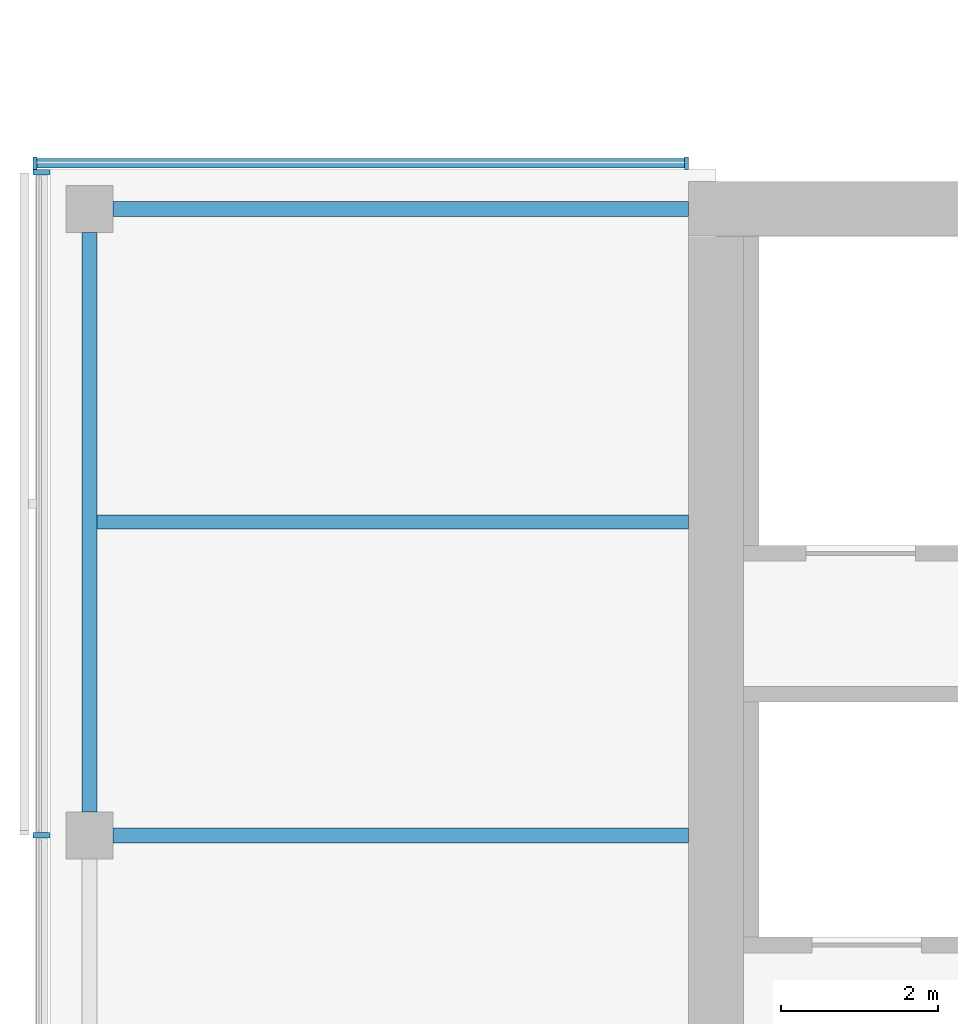
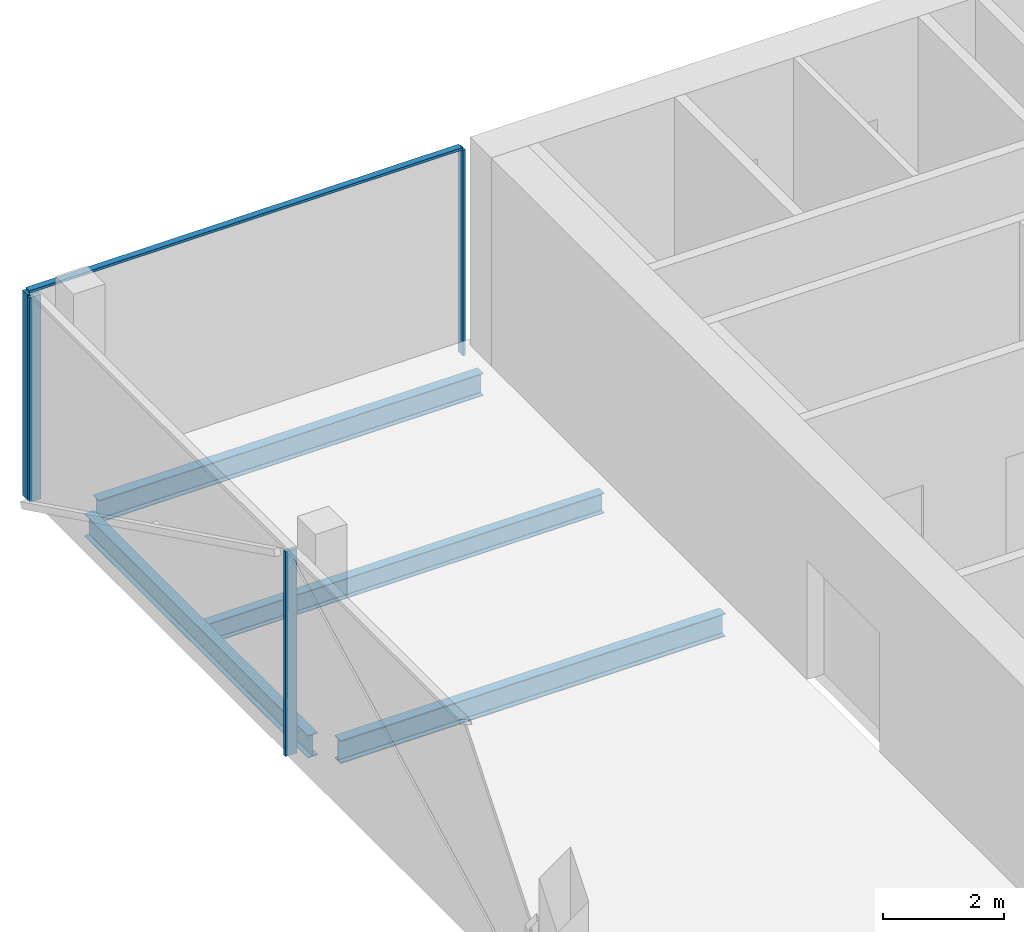
# One storey, part 7 of 22: 5 members, 4 beams, 2 elements without a shape of their own.
"""IFC4 building model written with IfcOpenShell, lengths in metres."""

import ifcopenshell
import ifcopenshell.guid

model = None  # the IFC model being written
_history = None  # IfcOwnerHistory: only IFC2X3 demands one
_inside = {}  # id of a spatial element -> (the spatial element, [elements in it])
_under = {}  # id of a project, library or spatial element -> (it, [spatial elements below it])
_declared = {}  # id of a project -> (the project, [libraries it declares])
_typed = {}  # id of a type object -> (the type object, [elements of that type])
_made_of = {}  # id of a material, layer set ... -> (it, [elements and type objects made of it])


def new_model(schema):
    """Start an empty IFC model of exactly this schema.

    Asked for "IFC4X3", IfcOpenShell would pick the latest addendum, in which some entities
    have other attributes; the version numbers below select the first issue.
    IFC2X3 requires an IfcOwnerHistory on every rooted entity: one is made here for all.
    """
    global model, _history
    if schema == "IFC4X3":
        model = ifcopenshell.file(schema_version=(4, 3, 0, 0))
    else:
        model = ifcopenshell.file(schema=schema)
    _inside.clear()
    _under.clear()
    _declared.clear()
    _typed.clear()
    _made_of.clear()
    _history = None
    if model.schema == "IFC2X3":
        org = make("IfcOrganization", Name="unknown")
        user = make(
            "IfcPersonAndOrganization",
            ThePerson=make("IfcPerson", FamilyName="unknown"),
            TheOrganization=org,
        )
        app = make(
            "IfcApplication",
            ApplicationDeveloper=org,
            Version="unknown",
            ApplicationFullName="unknown",
            ApplicationIdentifier="unknown",
        )
        _history = make(
            "IfcOwnerHistory",
            OwningUser=user,
            OwningApplication=app,
            ChangeAction="ADDED",
            CreationDate=0,
        )
    return model


def make(cls, **values):
    """One entity of the class cls with the attributes given. An attribute that is None is left unset."""
    return model.create_entity(
        cls, **{name: value for name, value in values.items() if value is not None}
    )


def rooted(cls, **values):
    """An entity with a GlobalId (a new one), such as an element, a storey or a relation."""
    return make(cls, GlobalId=ifcopenshell.guid.new(), OwnerHistory=_history, **values)


def si_unit(unit_type, name, prefix=None):
    """IfcSIUnit, for example si_unit("LENGTHUNIT", "METRE", prefix="MILLI")."""
    return make("IfcSIUnit", UnitType=unit_type, Prefix=prefix, Name=name)


def assignment(units):
    """IfcUnitAssignment: the units of a project."""
    return None if units is None else make("IfcUnitAssignment", Units=units)


def point(xyz):
    """IfcCartesianPoint."""
    return None if xyz is None else make("IfcCartesianPoint", Coordinates=xyz)


def direction(xyz):
    """IfcDirection."""
    return None if xyz is None else make("IfcDirection", DirectionRatios=xyz)


def frame(location, z_axis=None, x_axis=None):
    """IfcAxis2Placement3D, a coordinate frame: its origin and axes. An axis left out is left unset."""
    return make(
        "IfcAxis2Placement3D",
        Location=point(location),
        Axis=direction(z_axis),
        RefDirection=direction(x_axis),
    )


def frame_2d(location, x_axis=None):
    """IfcAxis2Placement2D, a coordinate frame in the plane: its origin and x axis."""
    return make(
        "IfcAxis2Placement2D", Location=point(location), RefDirection=direction(x_axis)
    )


def origin():
    """The frame at (0, 0, 0) with its axes left unset."""
    return frame((0.0, 0.0, 0.0))


def origin_2d():
    """The frame at (0, 0) in the plane with its x axis left unset."""
    return frame_2d((0.0, 0.0))


def place(relative_to, where):
    """IfcLocalPlacement: puts the frame where relative to a parent placement (None: the world)."""
    return make(
        "IfcLocalPlacement", PlacementRelTo=relative_to, RelativePlacement=where
    )


def context(
    kind, dimensions, precision=None, world=None, true_north=None, identifier=None
):
    """IfcGeometricRepresentationContext, for example the 3D "Model" context."""
    return make(
        "IfcGeometricRepresentationContext",
        ContextIdentifier=identifier,
        ContextType=kind,
        CoordinateSpaceDimension=dimensions,
        Precision=precision,
        WorldCoordinateSystem=world,
        TrueNorth=true_north,
    )


def subcontext(parent, identifier, kind, view, scale=None):
    """IfcGeometricRepresentationSubContext, for example "Body" below "Model"."""
    return make(
        "IfcGeometricRepresentationSubContext",
        ContextIdentifier=identifier,
        ContextType=kind,
        ParentContext=parent,
        TargetScale=scale,
        TargetView=view,
    )


def project(units=None, contexts=None):
    """IfcProject with its units and contexts."""
    return rooted(
        "IfcProject",
        Name="project",
        RepresentationContexts=contexts,
        UnitsInContext=assignment(units),
    )


def spatial(cls, under=None, at=None, **own):
    """A site, building, storey or space (cls), placed at a placement, below another one or the project."""
    s = rooted(cls, ObjectPlacement=at, **own)
    if under is not None:
        _under.setdefault(under.id(), (under, []))[1].append(s)
    return s


def profile(cls, at=None, kind="AREA", **sizes):
    """A parametric profile (cls). Its sizes go by their IFC names, for example OverallWidth=200.0."""
    return make(cls, ProfileType=kind, Position=at, **sizes)


def rectangle(**sizes):
    """IfcRectangleProfileDef."""
    return profile("IfcRectangleProfileDef", **sizes)


def i_section(**sizes):
    """IfcIShapeProfileDef."""
    return profile("IfcIShapeProfileDef", **sizes)


def extrude(swept, where, along, depth):
    """IfcExtrudedAreaSolid: the profile swept, set in the frame where, extruded along a direction by depth."""
    return make(
        "IfcExtrudedAreaSolid",
        SweptArea=swept,
        Position=where,
        ExtrudedDirection=direction(along),
        Depth=depth,
    )


def shape(context_of_items, identifier, shape_type, items):
    """IfcShapeRepresentation: the items that make up one representation, for example the "Body"."""
    return make(
        "IfcShapeRepresentation",
        ContextOfItems=context_of_items,
        RepresentationIdentifier=identifier,
        RepresentationType=shape_type,
        Items=items,
    )


def material(Name=None, Category=None):
    """IfcMaterial."""
    return make("IfcMaterial", Name=Name, Category=Category)


def material_profile(
    of_material, cross_section, Name=None, Category=None, Priority=None
):
    """IfcMaterialProfile: a cross section and its material."""
    return make(
        "IfcMaterialProfile",
        Name=Name,
        Material=of_material,
        Profile=cross_section,
        Priority=Priority,
        Category=Category,
    )


def profile_set(profiles, Name=None, composite=None):
    """IfcMaterialProfileSet."""
    return make(
        "IfcMaterialProfileSet",
        Name=Name,
        MaterialProfiles=profiles,
        CompositeProfile=composite,
    )


def made_of(thing, what):
    """Note that an element or type object is made of a material, layer set ...; save() writes the relation."""
    if what is not None:
        _made_of.setdefault(what.id(), (what, []))[1].append(thing)
    return thing


def type_object(cls, material=None, **own):
    """A type object (cls), such as IfcWallType, which elements share."""
    return made_of(rooted(cls, **own), material)


def element(
    cls,
    number,
    at=None,
    inside=None,
    cuts=None,
    type_object=None,
    material=None,
    context=None,
    identifier="Body",
    shape_type=None,
    held_by="IfcProductDefinitionShape",
    body=None,
    shapes=None,
    **own,
):
    """One element of the class cls, such as IfcWall. Its Tag is "e" and its number.

    at: its placement. inside: the storey or other place that contains it. cuts: it is an
    opening in that element (IfcRelVoidsElement). A single representation is given by context,
    identifier, shape_type and body (its items); several are given by shapes. held_by: the class
    of the entity that holds the representations. save() writes the other relations.
    """
    e = rooted(cls, Tag="e%d" % number, ObjectPlacement=at, **own)
    if body is not None:
        shapes = [shape(context, identifier, shape_type, body)]
    if shapes is not None:
        e.Representation = make(held_by, Representations=shapes)
    if inside is not None:
        _inside.setdefault(inside.id(), (inside, []))[1].append(e)
    if cuts is not None:
        rooted(
            "IfcRelVoidsElement", RelatingBuildingElement=cuts, RelatedOpeningElement=e
        )
    if type_object is not None:
        _typed.setdefault(type_object.id(), (type_object, []))[1].append(e)
    return made_of(e, material)


def aggregate(whole, parts):
    """IfcRelAggregates: a whole, such as a stair, and the parts it consists of."""
    return rooted("IfcRelAggregates", RelatingObject=whole, RelatedObjects=parts)


def save(model, path):
    """Write the relations noted so far, then the file.

    IfcRelAggregates (storeys below a building ...), IfcRelContainedInSpatialStructure (elements
    in a storey), IfcRelDefinesByType, IfcRelAssociatesMaterial and IfcRelDeclares: one each for
    every whole, place, type object, material and project.
    """
    for whole, parts in _under.values():
        aggregate(whole, parts)
    for where, things in _inside.values():
        rooted(
            "IfcRelContainedInSpatialStructure",
            RelatedElements=things,
            RelatingStructure=where,
        )
    for kind, things in _typed.values():
        rooted("IfcRelDefinesByType", RelatedObjects=things, RelatingType=kind)
    for what, things in _made_of.values():
        rooted("IfcRelAssociatesMaterial", RelatedObjects=things, RelatingMaterial=what)
    for by, libraries in _declared.values():
        rooted("IfcRelDeclares", RelatingContext=by, RelatedDefinitions=libraries)
    model.write(path)


model = new_model("IFC4")

# Units and contexts
model_context = context("Model", 3, precision=1e-05, world=origin(), true_north=direction((0.0, 1.0)))
body_context = subcontext(model_context, "Body", "Model", "MODEL_VIEW")
ifc_project = project(units=[si_unit("LENGTHUNIT", "METRE"), si_unit("AREAUNIT", "SQUARE_METRE"), si_unit("VOLUMEUNIT", "CUBIC_METRE"), si_unit("PLANEANGLEUNIT", "RADIAN"), si_unit("MASSUNIT", "GRAM", prefix="KILO")], contexts=[model_context])

# Site, building, storey
site_placement = place(None, origin())
site = spatial("IfcSite", under=ifc_project, at=site_placement, CompositionType="ELEMENT")
building_placement = place(site_placement, origin())
building = spatial("IfcBuilding", under=site, at=building_placement, Name="Crosswind Convention Tower", CompositionType="ELEMENT")
storey_placement = place(building_placement, frame((0.0, 0.0, 116.89990234375)))
storey = spatial("IfcBuildingStorey", under=building, at=storey_placement, Name="L23", CompositionType="ELEMENT", Elevation=116.89990234375)

# Beams
ifc_material_1 = material(Name="Steel S355", Category="steel")
ifc_material_profile_1 = material_profile(ifc_material_1, i_section(OverallWidth=0.18994140625, OverallDepth=0.45361328125, WebThickness=0.008544921875, FlangeThickness=0.0126953125, FilletRadius=0.01025390625, at=origin_2d()), Name="UB 457x191x67")
ifc_profile_set_1 = profile_set([ifc_material_profile_1], Name="Steel S355")
beam_type_1 = type_object("IfcBeamType", Name="Edge beam UB 457x191x67", PredefinedType="SPANDREL", material=ifc_profile_set_1)
beam_1_placement = place(storey_placement, frame((89.0, 104.300048828125, -0.526611328125), z_axis=(0.0, 1.0, 0.0), x_axis=(-1.0, 0.0, 0.0)))
element("IfcBeam", 1, at=beam_1_placement, inside=storey, type_object=beam_type_1, Name="B16 L23 edge beam 3", PredefinedType="SPANDREL", context=body_context, shape_type="SweptSolid", body=[
    extrude(i_section(OverallWidth=0.18994140625, OverallDepth=0.45361328125, WebThickness=0.008544921875, FlangeThickness=0.0126953125, FilletRadius=0.01025390625, at=origin_2d()), origin(), (0.0, 0.0, 1.0), 7.39990234375),
])
beam_2_placement = place(storey_placement, frame((89.300048828125, 112.0, -0.526611328125), z_axis=(1.0, 0.0, 0.0), x_axis=(0.0, 1.0, 0.0)))
element("IfcBeam", 2, at=beam_2_placement, inside=storey, type_object=beam_type_1, Name="B16 L23 edge beam 5", PredefinedType="SPANDREL", context=body_context, shape_type="SweptSolid", body=[
    extrude(i_section(OverallWidth=0.18994140625, OverallDepth=0.45361328125, WebThickness=0.008544921875, FlangeThickness=0.0126953125, FilletRadius=0.01025390625, at=origin_2d()), origin(), (0.0, 0.0, 1.0), 7.349853515625),
])
ifc_material_profile_2 = material_profile(ifc_material_1, i_section(OverallWidth=0.19189453125, OverallDepth=0.463623046875, WebThickness=0.010498046875, FlangeThickness=0.017578125, FilletRadius=0.01025390625, at=origin_2d()), Name="UB 457x191x90")
ifc_profile_set_2 = profile_set([ifc_material_profile_2], Name="Steel S355")
beam_type_2 = type_object("IfcBeamType", Name="Girder at core wall UB 457x191x90", PredefinedType="BEAM", material=ifc_profile_set_2)
beam_3_placement = place(storey_placement, frame((89.300048828125, 104.0, -0.53173828125), z_axis=(1.0, 0.0, 0.0), x_axis=(0.0, 1.0, 0.0)))
element("IfcBeam", 3, at=beam_3_placement, inside=storey, type_object=beam_type_2, Name="B24 L23 girder at core wall 2", PredefinedType="BEAM", context=body_context, shape_type="SweptSolid", body=[
    extrude(i_section(OverallWidth=0.19189453125, OverallDepth=0.463623046875, WebThickness=0.010498046875, FlangeThickness=0.017578125, FilletRadius=0.01025390625, at=origin_2d()), origin(), (0.0, 0.0, 1.0), 7.349853515625),
])

# Curtain wall, members
ifc_material_2 = material(Name="Aluminium unitised curtain wall", Category="aluminium")
curtain_wall_type_1 = type_object("IfcCurtainWallType", Name="CORE END SLOT WALL 160", PredefinedType="USERDEFINED", material=ifc_material_2)
curtain_wall_1_placement = place(storey_placement, origin())
curtain_wall_1 = element("IfcCurtainWall", 4, at=curtain_wall_1_placement, inside=storey, type_object=curtain_wall_type_1, Name="CW6 L23 W-N.2-1 slot", ObjectType="UNITISED", PredefinedType="USERDEFINED")
ifc_material_3 = material(Name="Aluminium mullion", Category="aluminium")
ifc_material_profile_3 = material_profile(ifc_material_3, rectangle(XDim=0.159912109375, YDim=0.050048828125, at=origin_2d()), Name="AL 160X50")
ifc_profile_set_3 = profile_set([ifc_material_profile_3], Name="Aluminium mullion")
member_type_1 = type_object("IfcMemberType", Name="MULLION 50X160", PredefinedType="MULLION", material=ifc_profile_set_3)
member_1_placement = place(storey_placement, frame((96.625, 112.580078125, -0.2998046875), z_axis=(0.0, 0.0, 1.0), x_axis=(0.0, 1.0, 0.0)))
member_1 = element("IfcMember", 5, at=member_1_placement, type_object=member_type_1, Name="CW6 mullion 1", PredefinedType="MULLION", context=body_context, shape_type="SweptSolid", body=[
    extrude(rectangle(XDim=0.159912109375, YDim=0.050048828125, at=origin_2d()), origin(), (0.0, 0.0, 1.0), 4.14990234375),
])
member_2_placement = place(storey_placement, frame((88.304931640625, 112.580078125, -0.2998046875), z_axis=(0.0, 0.0, 1.0), x_axis=(0.0, 1.0, 0.0)))
member_2 = element("IfcMember", 6, at=member_2_placement, type_object=member_type_1, Name="CW6 mullion 2", PredefinedType="MULLION", context=body_context, shape_type="SweptSolid", body=[
    extrude(rectangle(XDim=0.159912109375, YDim=0.050048828125, at=origin_2d()), origin(), (0.0, 0.0, 1.0), 4.14990234375),
])

curtain_wall_type_2 = type_object("IfcCurtainWallType", Name="OFFICE UNITISED WALL 220", PredefinedType="USERDEFINED", material=ifc_material_2)
curtain_wall_2_placement = place(storey_placement, origin())
curtain_wall_2 = element("IfcCurtainWall", 7, at=curtain_wall_2_placement, inside=storey, type_object=curtain_wall_type_2, Name="CW3 L23 W-TIP 1", ObjectType="UNITISED", PredefinedType="USERDEFINED")
ifc_material_profile_4 = material_profile(ifc_material_3, rectangle(XDim=0.219970703125, YDim=0.070068359375, at=origin_2d()), Name="AL 220X70")
ifc_profile_set_4 = profile_set([ifc_material_profile_4], Name="Aluminium mullion")
member_type_2 = type_object("IfcMemberType", Name="MULLION 70X220", PredefinedType="MULLION", material=ifc_profile_set_4)
member_3_placement = place(storey_placement, frame((88.389892578125, 112.465087890625, -0.2998046875), z_axis=(0.0, 0.0, 1.0), x_axis=(-1.0, 0.0, 0.0)))
member_3 = element("IfcMember", 8, at=member_3_placement, type_object=member_type_2, Name="CW3 mullion 1", PredefinedType="MULLION", context=body_context, shape_type="SweptSolid", body=[
    extrude(rectangle(XDim=0.219970703125, YDim=0.070068359375, at=origin_2d()), origin(), (0.0, 0.0, 1.0), 4.1298828125),
])
member_4_placement = place(storey_placement, frame((88.389892578125, 104.0, -0.2998046875), z_axis=(0.0, 0.0, 1.0), x_axis=(-1.0, 0.0, 0.0)))
member_4 = element("IfcMember", 9, at=member_4_placement, type_object=member_type_2, Name="CW3 mullion 2", PredefinedType="MULLION", context=body_context, shape_type="SweptSolid", body=[
    extrude(rectangle(XDim=0.219970703125, YDim=0.070068359375, at=origin_2d()), origin(), (0.0, 0.0, 1.0), 4.1298828125),
])
aggregate(curtain_wall_2, [member_3, member_4])

# Beam
ifc_material_profile_5 = material_profile(ifc_material_1, i_section(OverallWidth=0.177734375, OverallDepth=0.406494140625, WebThickness=0.0078125, FlangeThickness=0.0126953125, FilletRadius=0.01025390625, at=origin_2d()), Name="UB 406x178x60")
ifc_profile_set_5 = profile_set([ifc_material_profile_5], Name="Steel S355")
beam_type_3 = type_object("IfcBeamType", Name="Secondary beam UB 406x178x60", PredefinedType="JOIST", material=ifc_profile_set_5)
beam_4_placement = place(storey_placement, frame((89.094970703125, 108.0, -0.503173828125), z_axis=(1.0, 0.0, 0.0), x_axis=(0.0, 1.0, 0.0)))
element("IfcBeam", 10, at=beam_4_placement, inside=storey, type_object=beam_type_3, Name="B10 L23 secondary beam 3", PredefinedType="JOIST", context=body_context, shape_type="SweptSolid", body=[
    extrude(i_section(OverallWidth=0.177734375, OverallDepth=0.406494140625, WebThickness=0.0078125, FlangeThickness=0.0126953125, FilletRadius=0.01025390625, at=origin_2d()), origin(), (0.0, 0.0, 1.0), 7.554931640625),
])

# Member
ifc_material_4 = material(Name="Aluminium transom", Category="aluminium")
ifc_material_profile_6 = material_profile(ifc_material_4, rectangle(XDim=0.1201171875, YDim=0.050048828125, at=origin_2d()), Name="AL 120X50")
ifc_profile_set_6 = profile_set([ifc_material_profile_6], Name="Aluminium transom")
member_type_3 = type_object("IfcMemberType", Name="TRANSOM 50X120", PredefinedType="USERDEFINED", material=ifc_profile_set_6)
member_5_placement = place(storey_placement, frame((96.60009765625, 112.580078125, 3.875), z_axis=(-1.0, 0.0, 0.0), x_axis=(0.0, -1.0, 0.0)))
member_5 = element("IfcMember", 11, at=member_5_placement, type_object=member_type_3, Name="CW6 transom", ObjectType="TRANSOM", PredefinedType="USERDEFINED", context=body_context, shape_type="SweptSolid", body=[
    extrude(rectangle(XDim=0.1201171875, YDim=0.050048828125, at=origin_2d()), origin(), (0.0, 0.0, 1.0), 8.27001953125),
])

aggregate(curtain_wall_1, [member_1, member_2, member_5])

save(model, "model.ifc")
